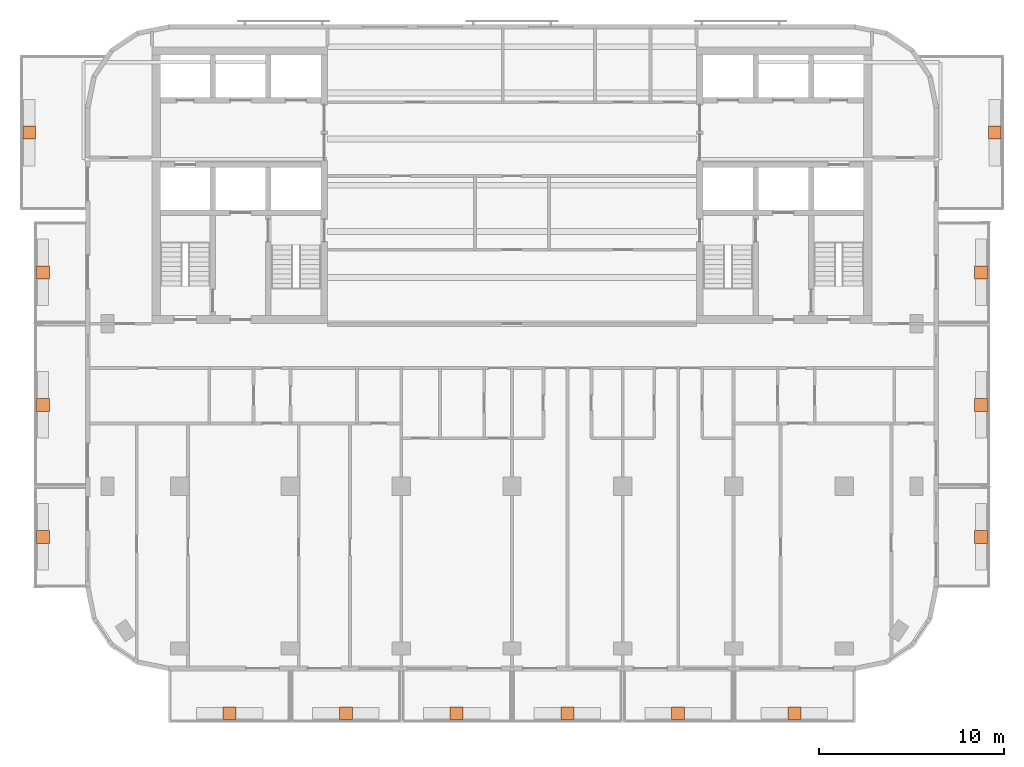
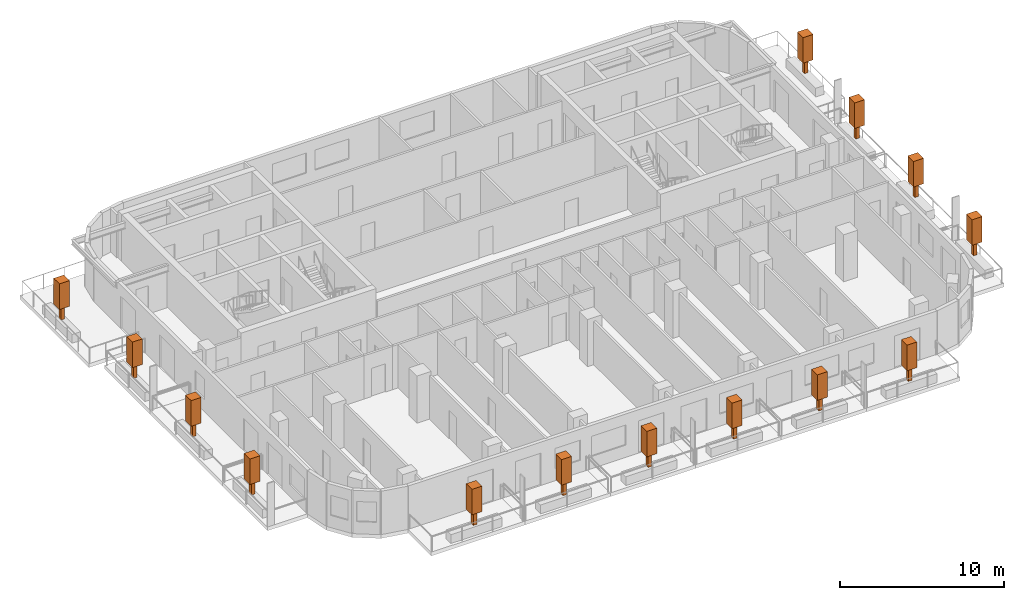
# One storey, part 11 of 11: 14 geographic elements.
"""IFC4 building model written with IfcOpenShell, lengths in metres."""

import ifcopenshell
import ifcopenshell.guid

model = None  # the IFC model being written
_history = None  # IfcOwnerHistory: only IFC2X3 demands one
_inside = {}  # id of a spatial element -> (the spatial element, [elements in it])
_under = {}  # id of a project, library or spatial element -> (it, [spatial elements below it])
_declared = {}  # id of a project -> (the project, [libraries it declares])
_typed = {}  # id of a type object -> (the type object, [elements of that type])
_made_of = {}  # id of a material, layer set ... -> (it, [elements and type objects made of it])


def new_model(schema):
    """Start an empty IFC model of exactly this schema.

    Asked for "IFC4X3", IfcOpenShell would pick the latest addendum, in which some entities
    have other attributes; the version numbers below select the first issue.
    IFC2X3 requires an IfcOwnerHistory on every rooted entity: one is made here for all.
    """
    global model, _history
    if schema == "IFC4X3":
        model = ifcopenshell.file(schema_version=(4, 3, 0, 0))
    else:
        model = ifcopenshell.file(schema=schema)
    _inside.clear()
    _under.clear()
    _declared.clear()
    _typed.clear()
    _made_of.clear()
    _history = None
    if model.schema == "IFC2X3":
        org = make("IfcOrganization", Name="unknown")
        user = make(
            "IfcPersonAndOrganization",
            ThePerson=make("IfcPerson", FamilyName="unknown"),
            TheOrganization=org,
        )
        app = make(
            "IfcApplication",
            ApplicationDeveloper=org,
            Version="unknown",
            ApplicationFullName="unknown",
            ApplicationIdentifier="unknown",
        )
        _history = make(
            "IfcOwnerHistory",
            OwningUser=user,
            OwningApplication=app,
            ChangeAction="ADDED",
            CreationDate=0,
        )
    return model


def make(cls, **values):
    """One entity of the class cls with the attributes given. An attribute that is None is left unset."""
    return model.create_entity(
        cls, **{name: value for name, value in values.items() if value is not None}
    )


def rooted(cls, **values):
    """An entity with a GlobalId (a new one), such as an element, a storey or a relation."""
    return make(cls, GlobalId=ifcopenshell.guid.new(), OwnerHistory=_history, **values)


def si_unit(unit_type, name, prefix=None):
    """IfcSIUnit, for example si_unit("LENGTHUNIT", "METRE", prefix="MILLI")."""
    return make("IfcSIUnit", UnitType=unit_type, Prefix=prefix, Name=name)


def assignment(units):
    """IfcUnitAssignment: the units of a project."""
    return None if units is None else make("IfcUnitAssignment", Units=units)


def point(xyz):
    """IfcCartesianPoint."""
    return None if xyz is None else make("IfcCartesianPoint", Coordinates=xyz)


def direction(xyz):
    """IfcDirection."""
    return None if xyz is None else make("IfcDirection", DirectionRatios=xyz)


def frame(location, z_axis=None, x_axis=None):
    """IfcAxis2Placement3D, a coordinate frame: its origin and axes. An axis left out is left unset."""
    return make(
        "IfcAxis2Placement3D",
        Location=point(location),
        Axis=direction(z_axis),
        RefDirection=direction(x_axis),
    )


def frame_2d(location, x_axis=None):
    """IfcAxis2Placement2D, a coordinate frame in the plane: its origin and x axis."""
    return make(
        "IfcAxis2Placement2D", Location=point(location), RefDirection=direction(x_axis)
    )


def origin():
    """The frame at (0, 0, 0) with its axes left unset."""
    return frame((0.0, 0.0, 0.0))


def origin_2d():
    """The frame at (0, 0) in the plane with its x axis left unset."""
    return frame_2d((0.0, 0.0))


def place(relative_to, where):
    """IfcLocalPlacement: puts the frame where relative to a parent placement (None: the world)."""
    return make(
        "IfcLocalPlacement", PlacementRelTo=relative_to, RelativePlacement=where
    )


def context(
    kind, dimensions, precision=None, world=None, true_north=None, identifier=None
):
    """IfcGeometricRepresentationContext, for example the 3D "Model" context."""
    return make(
        "IfcGeometricRepresentationContext",
        ContextIdentifier=identifier,
        ContextType=kind,
        CoordinateSpaceDimension=dimensions,
        Precision=precision,
        WorldCoordinateSystem=world,
        TrueNorth=true_north,
    )


def subcontext(parent, identifier, kind, view, scale=None):
    """IfcGeometricRepresentationSubContext, for example "Body" below "Model"."""
    return make(
        "IfcGeometricRepresentationSubContext",
        ContextIdentifier=identifier,
        ContextType=kind,
        ParentContext=parent,
        TargetScale=scale,
        TargetView=view,
    )


def project(units=None, contexts=None):
    """IfcProject with its units and contexts."""
    return rooted(
        "IfcProject",
        Name="project",
        RepresentationContexts=contexts,
        UnitsInContext=assignment(units),
    )


def spatial(cls, under=None, at=None, **own):
    """A site, building, storey or space (cls), placed at a placement, below another one or the project."""
    s = rooted(cls, ObjectPlacement=at, **own)
    if under is not None:
        _under.setdefault(under.id(), (under, []))[1].append(s)
    return s


def profile(cls, at=None, kind="AREA", **sizes):
    """A parametric profile (cls). Its sizes go by their IFC names, for example OverallWidth=200.0."""
    return make(cls, ProfileType=kind, Position=at, **sizes)


def rectangle(**sizes):
    """IfcRectangleProfileDef."""
    return profile("IfcRectangleProfileDef", **sizes)


def extrude(swept, where, along, depth):
    """IfcExtrudedAreaSolid: the profile swept, set in the frame where, extruded along a direction by depth."""
    return make(
        "IfcExtrudedAreaSolid",
        SweptArea=swept,
        Position=where,
        ExtrudedDirection=direction(along),
        Depth=depth,
    )


def shape(context_of_items, identifier, shape_type, items):
    """IfcShapeRepresentation: the items that make up one representation, for example the "Body"."""
    return make(
        "IfcShapeRepresentation",
        ContextOfItems=context_of_items,
        RepresentationIdentifier=identifier,
        RepresentationType=shape_type,
        Items=items,
    )


def material(Name=None, Category=None):
    """IfcMaterial."""
    return make("IfcMaterial", Name=Name, Category=Category)


def made_of(thing, what):
    """Note that an element or type object is made of a material, layer set ...; save() writes the relation."""
    if what is not None:
        _made_of.setdefault(what.id(), (what, []))[1].append(thing)
    return thing


def element(
    cls,
    number,
    at=None,
    inside=None,
    cuts=None,
    type_object=None,
    material=None,
    context=None,
    identifier="Body",
    shape_type=None,
    held_by="IfcProductDefinitionShape",
    body=None,
    shapes=None,
    **own,
):
    """One element of the class cls, such as IfcWall. Its Tag is "e" and its number.

    at: its placement. inside: the storey or other place that contains it. cuts: it is an
    opening in that element (IfcRelVoidsElement). A single representation is given by context,
    identifier, shape_type and body (its items); several are given by shapes. held_by: the class
    of the entity that holds the representations. save() writes the other relations.
    """
    e = rooted(cls, Tag="e%d" % number, ObjectPlacement=at, **own)
    if body is not None:
        shapes = [shape(context, identifier, shape_type, body)]
    if shapes is not None:
        e.Representation = make(held_by, Representations=shapes)
    if inside is not None:
        _inside.setdefault(inside.id(), (inside, []))[1].append(e)
    if cuts is not None:
        rooted(
            "IfcRelVoidsElement", RelatingBuildingElement=cuts, RelatedOpeningElement=e
        )
    if type_object is not None:
        _typed.setdefault(type_object.id(), (type_object, []))[1].append(e)
    return made_of(e, material)


def aggregate(whole, parts):
    """IfcRelAggregates: a whole, such as a stair, and the parts it consists of."""
    return rooted("IfcRelAggregates", RelatingObject=whole, RelatedObjects=parts)


def save(model, path):
    """Write the relations noted so far, then the file.

    IfcRelAggregates (storeys below a building ...), IfcRelContainedInSpatialStructure (elements
    in a storey), IfcRelDefinesByType, IfcRelAssociatesMaterial and IfcRelDeclares: one each for
    every whole, place, type object, material and project.
    """
    for whole, parts in _under.values():
        aggregate(whole, parts)
    for where, things in _inside.values():
        rooted(
            "IfcRelContainedInSpatialStructure",
            RelatedElements=things,
            RelatingStructure=where,
        )
    for kind, things in _typed.values():
        rooted("IfcRelDefinesByType", RelatedObjects=things, RelatingType=kind)
    for what, things in _made_of.values():
        rooted("IfcRelAssociatesMaterial", RelatedObjects=things, RelatingMaterial=what)
    for by, libraries in _declared.values():
        rooted("IfcRelDeclares", RelatingContext=by, RelatedDefinitions=libraries)
    model.write(path)


model = new_model("IFC4")

# Units and contexts
model_context = context("Model", 3, precision=1e-05, world=origin(), true_north=direction((0.0, 1.0)))
body_context = subcontext(model_context, "Body", "Model", "MODEL_VIEW")
ifc_project = project(units=[si_unit("LENGTHUNIT", "METRE"), si_unit("AREAUNIT", "SQUARE_METRE"), si_unit("VOLUMEUNIT", "CUBIC_METRE"), si_unit("PLANEANGLEUNIT", "RADIAN"), si_unit("MASSUNIT", "GRAM", prefix="KILO")], contexts=[model_context])

# Site, building, storey
site_placement = place(None, origin())
site = spatial("IfcSite", under=ifc_project, at=site_placement, CompositionType="ELEMENT")
building_placement = place(site_placement, origin())
building = spatial("IfcBuilding", under=site, at=building_placement, Name="Torana Hotel and Residences", CompositionType="ELEMENT")
storey_placement = place(building_placement, frame((0.0, 0.0, 273.60009765625)))
storey = spatial("IfcBuildingStorey", under=building, at=storey_placement, Name="L72", CompositionType="ELEMENT", Elevation=273.60009765625)

# Geographic elements
ifc_material = material(Name="Foliage", Category="planting")
for number, where, z_axis, x_axis, name in (
    (1, (-15.300048828125, -36.10009765625, 0.64990234375), (0.0, 0.0, 1.0), (1.0, 0.0, 0.0), "Tree 01"),
    (2, (-9.0, -36.10009765625, 0.64990234375), (0.0, 0.0, 1.0), (1.0, 0.0, 0.0), "Tree 02"),
    (3, (-3.0, -36.10009765625, 0.64990234375), (0.0, 0.0, 1.0), (1.0, 0.0, 0.0), "Tree 03"),
    (4, (3.0, -36.10009765625, 0.64990234375), (0.0, 0.0, 1.0), (1.0, 0.0, 0.0), "Tree 04"),
    (5, (9.0, -36.10009765625, 0.64990234375), (0.0, 0.0, 1.0), (1.0, 0.0, 0.0), "Tree 05"),
    (6, (15.300048828125, -36.10009765625, 0.64990234375), (0.0, 0.0, 1.0), (1.0, 0.0, 0.0), "Tree 06"),
    (7, (-25.39990234375, -26.550048828125, 0.64990234375), (0.0, 0.0, 1.0), (1.0, 0.0, 0.0), "Tree 07"),
    (8, (-25.39990234375, -19.39990234375, 0.64990234375), (0.0, 0.0, 1.0), (1.0, 0.0, 0.0), "Tree 08"),
    (9, (-25.39990234375, -12.22509765625, 0.64990234375), (0.0, 0.0, 1.0), (1.0, 0.0, 0.0), "Tree 09"),
    (10, (-26.14990234375, -4.64990234375, 0.64990234375), (0.0, 0.0, 1.0), (1.0, 0.0, 0.0), "Tree 10"),
    (11, (25.39990234375, -26.550048828125, 0.64990234375), (0.0, 0.0, 1.0), (1.0, 0.0, 0.0), "Tree 11"),
    (12, (25.39990234375, -19.39990234375, 0.64990234375), (0.0, 0.0, 1.0), (1.0, 0.0, 0.0), "Tree 12"),
    (13, (25.39990234375, -12.22509765625, 0.64990234375), (0.0, 0.0, 1.0), (1.0, 0.0, 0.0), "Tree 13"),
    (14, (26.14990234375, -4.64990234375, 0.64990234375), (0.0, 0.0, 1.0), (1.0, 0.0, 0.0), "Tree 14"),
):
    element("IfcGeographicElement", number, at=place(storey_placement, frame(where, z_axis=z_axis, x_axis=x_axis)), inside=storey, material=ifc_material, Name=name, ObjectType="TREE", PredefinedType="USERDEFINED", context=body_context, shape_type="SweptSolid", body=[
        extrude(rectangle(XDim=0.25, YDim=0.25, at=origin_2d()), origin(), (0.0, 0.0, 1.0), 1.0),
        extrude(rectangle(XDim=0.699951171875, YDim=0.699951171875, at=origin_2d()), frame((0.0, 0.0, 1.0)), (0.0, 0.0, 1.0), 1.89990234375),
    ])

save(model, "model.ifc")
